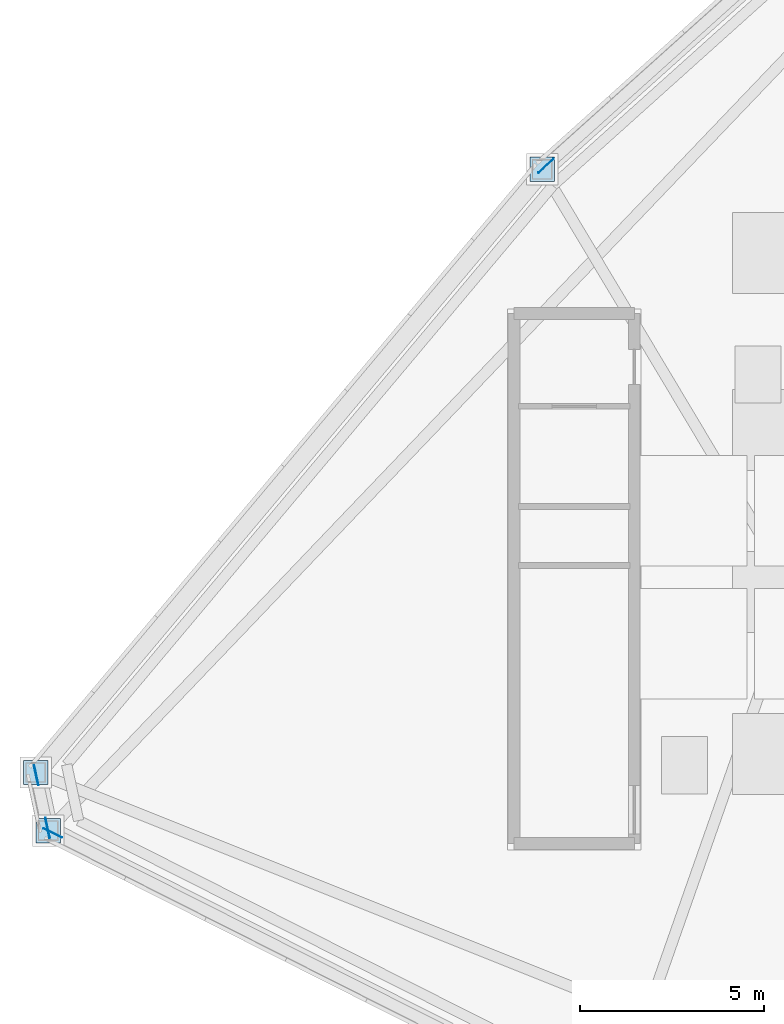
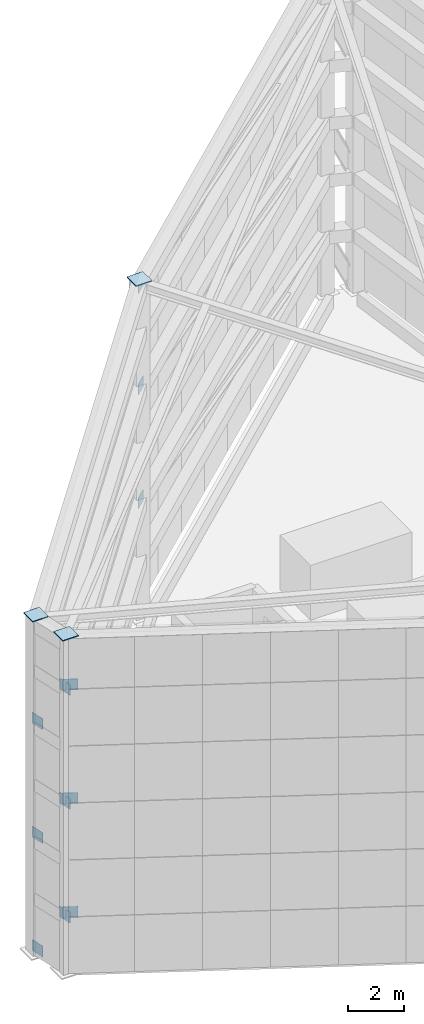
# One storey, part 5 of 9: 15 plates.
"""IFC4 building model written with IfcOpenShell, lengths in metres."""

from ifc_helpers import new_model, si_unit, direction, frame, origin, origin_2d, place, context, subcontext, project, spatial, rectangle, extrude, source, transform, mapped, material, type_object, element, save


model = new_model("IFC4")

# Units and contexts
model_context = context("Model", 3, precision=1e-05, world=origin(), true_north=direction((0.0, 1.0)))
body_context = subcontext(model_context, "Body", "Model", "MODEL_VIEW")
ifc_project = project(units=[si_unit("LENGTHUNIT", "METRE"), si_unit("AREAUNIT", "SQUARE_METRE"), si_unit("VOLUMEUNIT", "CUBIC_METRE"), si_unit("PLANEANGLEUNIT", "RADIAN"), si_unit("MASSUNIT", "GRAM", prefix="KILO")], contexts=[model_context])

# Site, building, storey
site_placement = place(None, origin())
site = spatial("IfcSite", under=ifc_project, at=site_placement, CompositionType="ELEMENT")
building_placement = place(site_placement, origin())
building = spatial("IfcBuilding", under=site, at=building_placement, Name="Olszyna Solenne Hotel", CompositionType="ELEMENT")
storey_placement = place(building_placement, frame((0.0, 0.0, 295.0)))
storey = spatial("IfcBuildingStorey", under=building, at=storey_placement, Name="Roof Crown", CompositionType="ELEMENT", Elevation=295.0)

# Plates
ifc_material_1 = material(Name="Steel S460M", Category="steel")
plate_type_1 = type_object("IfcPlateType", Name="GP-CAP1", PredefinedType="USERDEFINED", material=ifc_material_1)
shared_shape_1 = source(origin(), body_context, "Body", "SweptSolid", [
    extrude(rectangle(XDim=0.659912109375, YDim=0.659912109375, at=origin_2d()), origin(), (0.0, 0.0, 1.0), 0.0400390625),
])
for number, where, z_axis, x_axis, name in (
    (1, (30.739990234375, 37.668212890625, 14.719970703125), (0.0, 0.0, 1.0), (1.0, 0.0, 0.0), "Hollow section end-cap plate GP-CAP1 CP-CFTOP-3-2"),
    (2, (16.998779296875, 21.30419921875, 14.719970703125), (0.0, 0.0, 1.0), (1.0, 0.0, 0.0), "Hollow section end-cap plate GP-CAP1 CP-CFTOP-4-2"),
    (3, (17.33740234375, 19.724609375, 14.719970703125), (0.0, 0.0, 1.0), (1.0, 0.0, 0.0), "Hollow section end-cap plate GP-CAP1 CP-CFTOP-5-2"),
):
    element("IfcPlate", number, at=place(storey_placement, frame(where, z_axis=z_axis, x_axis=x_axis)), inside=storey, type_object=plate_type_1, Name=name, ObjectType="GUSSET_PLATE", PredefinedType="USERDEFINED", context=body_context, shape_type="MappedRepresentation", body=[
        mapped(shared_shape_1, transform((0.0, 0.0, 0.0), x_axis=(1.0, 0.0, 0.0), y_axis=(0.0, 1.0, 0.0), z_axis=(0.0, 0.0, 1.0), scale=1.0)),
    ])
ifc_material_2 = material(Name="Steel S355J2", Category="steel")
plate_type_2 = type_object("IfcPlateType", Name="GP-ND2", PredefinedType="USERDEFINED", material=ifc_material_2)
shared_shape_2 = source(origin(), body_context, "Body", "SweptSolid", [
    extrude(rectangle(XDim=0.56005859375, YDim=0.02001953125, at=origin_2d()), origin(), (0.0, 0.0, 1.0), 0.47998046875),
])
for number, where, z_axis, x_axis, name in (
    (4, (17.014892578125, 21.2294921875, -0.102783203125), (0.0, 0.0, 1.0), (0.209618562904, -0.977783236759, 0.0), "Brace end connection gusset plate GP-ND2 EP-CF-BR-T1-2-1"),
    (5, (17.321533203125, 19.79931640625, 2.142822265625), (0.0, 0.0, 1.0), (0.209618562904, -0.977783236759, 0.0), "Brace end connection gusset plate GP-ND2 EP-CF-BR-T1-2-2"),
    (6, (30.843505859375, 37.760986328125, 4.74365234375), (0.0, 0.0, 1.0), (-0.74396176791, -0.668222184522, 0.0), "Brace end connection gusset plate GP-ND2 EP-CF-BR-T2-1-2"),
    (7, (17.461181640625, 19.662353515625, 2.2802734375), (0.0, 0.0, 1.0), (0.892743150022, -0.450565941999, 0.0), "Brace end connection gusset plate GP-ND2 EP-CF-BR-T2-2-1"),
    (8, (17.0146484375, 21.22998046875, 4.877685546875), (0.0, 0.0, 1.0), (0.209618562904, -0.977783236759, 0.0), "Brace end connection gusset plate GP-ND2 EP-CF-BR-T3-2-1"),
    (9, (17.321533203125, 19.799072265625, 7.142333984375), (0.0, 0.0, 1.0), (0.209618562904, -0.977783236759, 0.0), "Brace end connection gusset plate GP-ND2 EP-CF-BR-T3-2-2"),
    (10, (30.843505859375, 37.760986328125, 9.74365234375), (0.0, 0.0, 1.0), (-0.74396176791, -0.668222184522, 0.0), "Brace end connection gusset plate GP-ND2 EP-CF-BR-T4-1-2"),
    (11, (17.461181640625, 19.662353515625, 7.2802734375), (0.0, 0.0, 1.0), (0.892743150022, -0.450565941999, 0.0), "Brace end connection gusset plate GP-ND2 EP-CF-BR-T4-2-1"),
    (12, (17.0146484375, 21.22998046875, 9.877685546875), (0.0, 0.0, 1.0), (0.209618562904, -0.977783236759, 0.0), "Brace end connection gusset plate GP-ND2 EP-CF-BR-T5-2-1"),
    (13, (17.321533203125, 19.799072265625, 12.142333984375), (0.0, 0.0, 1.0), (0.209618562904, -0.977783236759, 0.0), "Brace end connection gusset plate GP-ND2 EP-CF-BR-T5-2-2"),
    (14, (30.84375, 37.76123046875, 14.187255859375), (0.0, 0.0, 1.0), (-0.74396176791, -0.668222184522, 0.0), "Brace end connection gusset plate GP-ND2 EP-CF-BR-T6-1-2"),
    (15, (17.461669921875, 19.662109375, 12.27587890625), (0.0, 0.0, 1.0), (0.892743150022, -0.450565941999, 0.0), "Brace end connection gusset plate GP-ND2 EP-CF-BR-T6-2-1"),
):
    element("IfcPlate", number, at=place(storey_placement, frame(where, z_axis=z_axis, x_axis=x_axis)), inside=storey, type_object=plate_type_2, Name=name, ObjectType="GUSSET_PLATE", PredefinedType="USERDEFINED", context=body_context, shape_type="MappedRepresentation", body=[
        mapped(shared_shape_2, transform((0.0, 0.0, 0.0), x_axis=(1.0, 0.0, 0.0), y_axis=(0.0, 1.0, 0.0), z_axis=(0.0, 0.0, 1.0), scale=1.0)),
    ])

save(model, "model.ifc")
